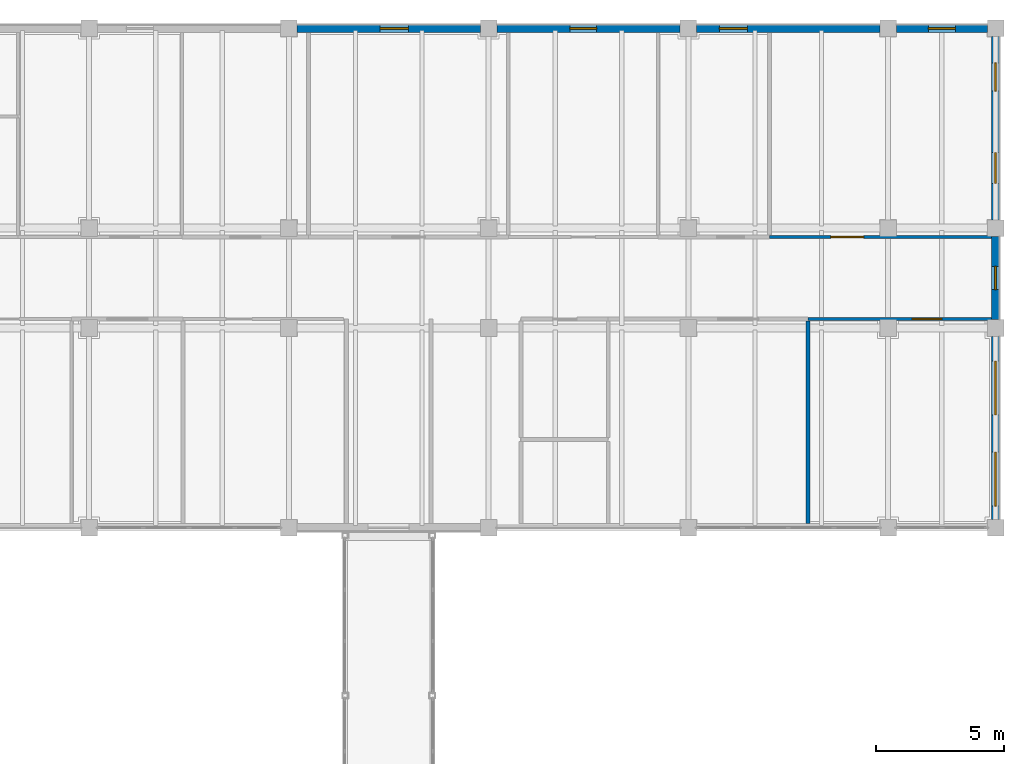
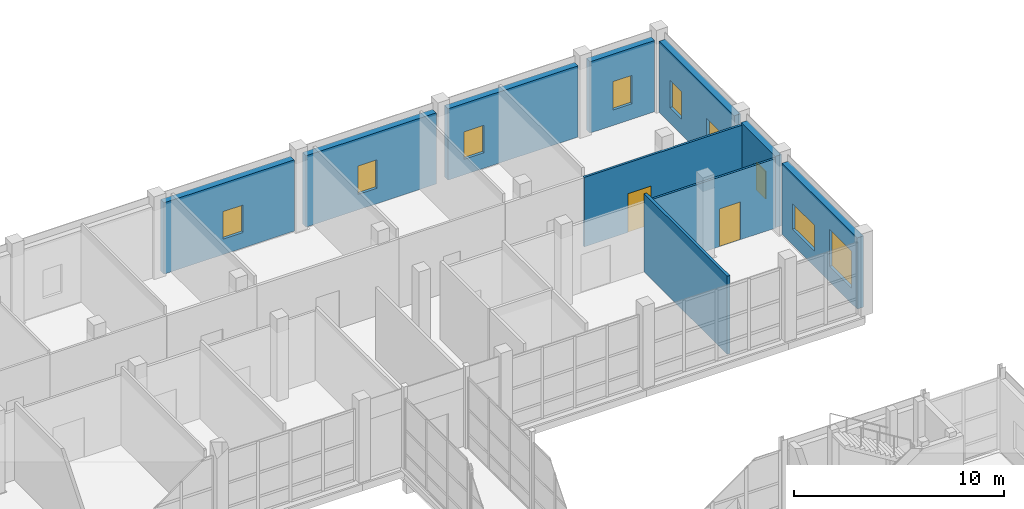
# One storey, part 105 of 131: 10 walls, 9 windows, 2 doors, 11 openings.
"""IFC4 building model written with IfcOpenShell, lengths in metres."""

from ifc_helpers import new_model, si_unit, direction, frame, frame_2d, origin, place, context, subcontext, project, spatial, rectangle, extrude, material, layer, layer_set, type_object, element, fill, save


model = new_model("IFC4")

# Units and contexts
model_context = context("Model", 3, precision=1e-05, world=origin(), true_north=direction((0.0, 1.0)))
body_context = subcontext(model_context, "Body", "Model", "MODEL_VIEW")
ifc_project = project(units=[si_unit("LENGTHUNIT", "METRE"), si_unit("AREAUNIT", "SQUARE_METRE"), si_unit("VOLUMEUNIT", "CUBIC_METRE"), si_unit("PLANEANGLEUNIT", "RADIAN"), si_unit("MASSUNIT", "GRAM", prefix="KILO")], contexts=[model_context])

# Site, building, storey
site_placement = place(None, origin())
site = spatial("IfcSite", under=ifc_project, at=site_placement, CompositionType="ELEMENT")
building_placement = place(site_placement, origin())
building = spatial("IfcBuilding", under=site, at=building_placement, Name="Celorna Specialist Clinic", CompositionType="ELEMENT")
storey_placement = place(building_placement, origin())
storey = spatial("IfcBuildingStorey", under=building, at=storey_placement, Name="L00", CompositionType="ELEMENT", Elevation=0.0)

# Wall, opening, window
ifc_material_1 = material(Name="Pero Pinheiro Lioz limestone insulated masonry", Category="masonry")
ifc_layer_1 = layer(ifc_material_1, 0.340087890625, Name="Pero Pinheiro Lioz limestone insulated masonry")
ifc_layer_set_1 = layer_set([ifc_layer_1], Name="Pero Pinheiro Lioz limestone insulated masonry")
wall_type_1 = type_object("IfcWallType", Name="WT-07", PredefinedType="STANDARD", material=ifc_layer_set_1)
wall_1_placement = place(storey_placement, frame((140.72509765625, 116.0, 0.0), z_axis=(0.0, 0.0, 1.0), x_axis=(1.0, 0.0, 0.0)))
wall_1 = element("IfcWall", 1, at=wall_1_placement, inside=storey, type_object=wall_type_1, Name="External facade wall WT-07 #177", PredefinedType="STANDARD", context=body_context, shape_type="SweptSolid", body=[
    extrude(rectangle(XDim=7.14990234375, YDim=0.340087890625, at=frame_2d((3.574951171875, 0.0))), origin(), (0.0, 0.0, 1.0), 4.139892578125),
])
opening_1_placement = place(wall_1_placement, frame((3.237548828125, 0.0, 0.89990234375)))
opening_1 = element("IfcOpeningElement", 2, at=opening_1_placement, cuts=wall_1, Name="Opening WN-03", PredefinedType="OPENING", context=body_context, shape_type="SweptSolid", body=[
    extrude(rectangle(XDim=1.10009765625, YDim=1.60009765625, at=frame_2d((0.550048828125, 0.800048828125))), frame((0.0, 0.179931640625, 0.0), z_axis=(0.0, -1.0, 0.0), x_axis=(1.0, 0.0, 0.0)), (0.0, 0.0, 1.0), 0.360107421875),
])
ifc_material_2 = material(Name="Thermally broken aluminium triple-glazed window", Category="aluminium")
window_type_1 = type_object("IfcWindowType", Name="WN-03", PartitioningType="SINGLE_PANEL", PredefinedType="WINDOW", material=ifc_material_2)
window_1_placement = place(opening_1_placement, origin())
window_1 = element("IfcWindow", 3, at=window_1_placement, inside=storey, type_object=window_type_1, Name="Facade window WN-03 #69", OverallHeight=1.60009765625, OverallWidth=1.10009765625, PartitioningType="SINGLE_PANEL", PredefinedType="WINDOW", context=body_context, shape_type="SweptSolid", body=[
    extrude(rectangle(XDim=1.10009765625, YDim=1.60009765625, at=frame_2d((0.550048828125, 0.800048828125))), frame((0.0, 0.030029296875, 0.0), z_axis=(0.0, -1.0, 0.0), x_axis=(1.0, 0.0, 0.0)), (0.0, 0.0, 1.0), 0.06005859375),
])
fill(opening_1, window_1)

wall_2_placement = place(storey_placement, frame((148.52490234375, 116.0, 0.0), z_axis=(0.0, 0.0, 1.0), x_axis=(1.0, 0.0, 0.0)))
wall_2 = element("IfcWall", 4, at=wall_2_placement, inside=storey, type_object=wall_type_1, Name="External facade wall WT-07 #178", PredefinedType="STANDARD", context=body_context, shape_type="SweptSolid", body=[
    extrude(rectangle(XDim=7.150146484375, YDim=0.340087890625, at=frame_2d((3.5751953125, 0.0))), origin(), (0.0, 0.0, 1.0), 4.139892578125),
])
opening_2_placement = place(wall_2_placement, frame((2.844970703125, 0.0, 0.89990234375)))
opening_2 = element("IfcOpeningElement", 5, at=opening_2_placement, cuts=wall_2, Name="Opening WN-21", PredefinedType="OPENING", context=body_context, shape_type="SweptSolid", body=[
    extrude(rectangle(XDim=1.050048828125, YDim=1.64990234375, at=frame_2d((0.52490234375, 0.824951171875))), frame((0.0, 0.179931640625, 0.0), z_axis=(0.0, -1.0, 0.0), x_axis=(1.0, 0.0, 0.0)), (0.0, 0.0, 1.0), 0.360107421875),
])
window_type_2 = type_object("IfcWindowType", Name="WN-21", PartitioningType="SINGLE_PANEL", PredefinedType="WINDOW", material=ifc_material_2)
window_2_placement = place(opening_2_placement, origin())
window_2 = element("IfcWindow", 6, at=window_2_placement, inside=storey, type_object=window_type_2, Name="Facade window WN-21 #70", OverallHeight=1.64990234375, OverallWidth=1.050048828125, PartitioningType="SINGLE_PANEL", PredefinedType="WINDOW", context=body_context, shape_type="SweptSolid", body=[
    extrude(rectangle(XDim=1.050048828125, YDim=1.64990234375, at=frame_2d((0.52490234375, 0.824951171875))), frame((0.0, 0.030029296875, 0.0), z_axis=(0.0, -1.0, 0.0), x_axis=(1.0, 0.0, 0.0)), (0.0, 0.0, 1.0), 0.06005859375),
])
fill(opening_2, window_2)

wall_3_placement = place(storey_placement, frame((156.324951171875, 116.0, 0.0), z_axis=(0.0, 0.0, 1.0), x_axis=(1.0, 0.0, 0.0)))
wall_3 = element("IfcWall", 7, at=wall_3_placement, inside=storey, type_object=wall_type_1, Name="External facade wall WT-07 #179", PredefinedType="STANDARD", context=body_context, shape_type="SweptSolid", body=[
    extrude(rectangle(XDim=7.150146484375, YDim=0.340087890625, at=frame_2d((3.5751953125, 0.0))), origin(), (0.0, 0.0, 1.0), 4.139892578125),
])
opening_3_placement = place(wall_3_placement, frame((0.882568359375, 0.0, 0.89990234375)))
opening_3 = element("IfcOpeningElement", 8, at=opening_3_placement, cuts=wall_3, Name="Opening WN-03", PredefinedType="OPENING", context=body_context, shape_type="SweptSolid", body=[
    extrude(rectangle(XDim=1.10009765625, YDim=1.60009765625, at=frame_2d((0.550048828125, 0.800048828125))), frame((0.0, 0.179931640625, 0.0), z_axis=(0.0, -1.0, 0.0), x_axis=(1.0, 0.0, 0.0)), (0.0, 0.0, 1.0), 0.360107421875),
])
window_3_placement = place(opening_3_placement, origin())
window_3 = element("IfcWindow", 9, at=window_3_placement, inside=storey, type_object=window_type_1, Name="Facade window WN-03 #71", OverallHeight=1.60009765625, OverallWidth=1.10009765625, PartitioningType="SINGLE_PANEL", PredefinedType="WINDOW", context=body_context, shape_type="SweptSolid", body=[
    extrude(rectangle(XDim=1.10009765625, YDim=1.60009765625, at=frame_2d((0.550048828125, 0.800048828125))), frame((0.0, 0.030029296875, 0.0), z_axis=(0.0, -1.0, 0.0), x_axis=(1.0, 0.0, 0.0)), (0.0, 0.0, 1.0), 0.06005859375),
])
fill(opening_3, window_3)

wall_4_placement = place(storey_placement, frame((164.125, 116.0, 0.0), z_axis=(0.0, 0.0, 1.0), x_axis=(1.0, 0.0, 0.0)))
wall_4 = element("IfcWall", 10, at=wall_4_placement, inside=storey, type_object=wall_type_1, Name="External facade wall WT-07 #180", PredefinedType="STANDARD", context=body_context, shape_type="SweptSolid", body=[
    extrude(rectangle(XDim=3.550048828125, YDim=0.340087890625, at=frame_2d((1.77490234375, 0.0))), origin(), (0.0, 0.0, 1.0), 4.139892578125),
])
opening_4_placement = place(wall_4_placement, frame((1.25, 0.0, 0.89990234375)))
opening_4 = element("IfcOpeningElement", 11, at=opening_4_placement, cuts=wall_4, Name="Opening WN-21", PredefinedType="OPENING", context=body_context, shape_type="SweptSolid", body=[
    extrude(rectangle(XDim=1.050048828125, YDim=1.64990234375, at=frame_2d((0.52490234375, 0.824951171875))), frame((0.0, 0.179931640625, 0.0), z_axis=(0.0, -1.0, 0.0), x_axis=(1.0, 0.0, 0.0)), (0.0, 0.0, 1.0), 0.360107421875),
])
window_4_placement = place(opening_4_placement, origin())
window_4 = element("IfcWindow", 12, at=window_4_placement, inside=storey, type_object=window_type_2, Name="Facade window WN-21 #72", OverallHeight=1.64990234375, OverallWidth=1.050048828125, PartitioningType="SINGLE_PANEL", PredefinedType="WINDOW", context=body_context, shape_type="SweptSolid", body=[
    extrude(rectangle(XDim=1.050048828125, YDim=1.64990234375, at=frame_2d((0.52490234375, 0.824951171875))), frame((0.0, 0.030029296875, 0.0), z_axis=(0.0, -1.0, 0.0), x_axis=(1.0, 0.0, 0.0)), (0.0, 0.0, 1.0), 0.06005859375),
])
fill(opening_4, window_4)

# Wall, openings, windows
wall_5_placement = place(storey_placement, frame((168.0, 103.97509765625, 0.0), z_axis=(0.0, 0.0, 1.0), x_axis=(0.0, -1.0, 0.0)))
wall_5 = element("IfcWall", 13, at=wall_5_placement, inside=storey, type_object=wall_type_1, Name="External facade wall WT-07 #184", PredefinedType="STANDARD", context=body_context, shape_type="SweptSolid", body=[
    extrude(rectangle(XDim=7.150146484375, YDim=0.340087890625, at=frame_2d((3.5751953125, 0.0))), origin(), (0.0, 0.0, 1.0), 4.139892578125),
])
opening_5_placement = place(wall_5_placement, frame((0.972412109375, 0.0, 0.89990234375)))
opening_5 = element("IfcOpeningElement", 14, at=opening_5_placement, cuts=wall_5, Name="Opening WN-26", PredefinedType="OPENING", context=body_context, shape_type="SweptSolid", body=[
    extrude(rectangle(XDim=2.10009765625, YDim=1.5, at=frame_2d((1.050048828125, 0.75))), frame((0.0, 0.179931640625, 0.0), z_axis=(0.0, -1.0, 0.0), x_axis=(1.0, 0.0, 0.0)), (0.0, 0.0, 1.0), 0.360107421875),
])
opening_6_placement = place(wall_5_placement, frame((4.527587890625, 0.0, 0.89990234375)))
opening_6 = element("IfcOpeningElement", 15, at=opening_6_placement, cuts=wall_5, Name="Opening WN-27", PredefinedType="OPENING", context=body_context, shape_type="SweptSolid", body=[
    extrude(rectangle(XDim=2.10009765625, YDim=2.14990234375, at=frame_2d((1.050048828125, 1.074951171875))), frame((0.0, 0.179931640625, 0.0), z_axis=(0.0, -1.0, 0.0), x_axis=(1.0, 0.0, 0.0)), (0.0, 0.0, 1.0), 0.360107421875),
])
window_type_3 = type_object("IfcWindowType", Name="WN-26", PartitioningType="SINGLE_PANEL", PredefinedType="WINDOW", material=ifc_material_2)
window_5_placement = place(opening_5_placement, origin())
window_5 = element("IfcWindow", 16, at=window_5_placement, inside=storey, type_object=window_type_3, Name="Facade window WN-26 #76", OverallHeight=1.5, OverallWidth=2.10009765625, PartitioningType="SINGLE_PANEL", PredefinedType="WINDOW", context=body_context, shape_type="SweptSolid", body=[
    extrude(rectangle(XDim=2.10009765625, YDim=1.5, at=frame_2d((1.050048828125, 0.75))), frame((0.0, 0.030029296875, 0.0), z_axis=(0.0, -1.0, 0.0), x_axis=(1.0, 0.0, 0.0)), (0.0, 0.0, 1.0), 0.06005859375),
])
fill(opening_5, window_5)
window_type_4 = type_object("IfcWindowType", Name="WN-27", PartitioningType="SINGLE_PANEL", PredefinedType="WINDOW", material=ifc_material_2)
window_6_placement = place(opening_6_placement, origin())
window_6 = element("IfcWindow", 17, at=window_6_placement, inside=storey, type_object=window_type_4, Name="Facade window WN-27 #77", OverallHeight=2.14990234375, OverallWidth=2.10009765625, PartitioningType="SINGLE_PANEL", PredefinedType="WINDOW", context=body_context, shape_type="SweptSolid", body=[
    extrude(rectangle(XDim=2.10009765625, YDim=2.14990234375, at=frame_2d((1.050048828125, 1.074951171875))), frame((0.0, 0.030029296875, 0.0), z_axis=(0.0, -1.0, 0.0), x_axis=(1.0, 0.0, 0.0)), (0.0, 0.0, 1.0), 0.06005859375),
])
fill(opening_6, window_6)

# Wall, opening, window
wall_6_placement = place(storey_placement, frame((168.0, 107.875, 0.0), z_axis=(0.0, 0.0, 1.0), x_axis=(0.0, -1.0, 0.0)))
wall_6 = element("IfcWall", 18, at=wall_6_placement, inside=storey, type_object=wall_type_1, Name="External facade wall WT-07 #185", PredefinedType="STANDARD", context=body_context, shape_type="SweptSolid", body=[
    extrude(rectangle(XDim=3.25, YDim=0.340087890625, at=frame_2d((1.625, 0.0))), origin(), (0.0, 0.0, 1.0), 4.139892578125),
])
opening_7_placement = place(wall_6_placement, frame((1.175048828125, 0.0, 0.89990234375)))
opening_7 = element("IfcOpeningElement", 19, at=opening_7_placement, cuts=wall_6, Name="Opening WN-01", PredefinedType="OPENING", context=body_context, shape_type="SweptSolid", body=[
    extrude(rectangle(XDim=0.89990234375, YDim=1.60009765625, at=frame_2d((0.449951171875, 0.800048828125))), frame((0.0, 0.179931640625, 0.0), z_axis=(0.0, -1.0, 0.0), x_axis=(1.0, 0.0, 0.0)), (0.0, 0.0, 1.0), 0.360107421875),
])
window_type_5 = type_object("IfcWindowType", Name="WN-01", PartitioningType="SINGLE_PANEL", PredefinedType="WINDOW", material=ifc_material_2)
window_7_placement = place(opening_7_placement, origin())
window_7 = element("IfcWindow", 20, at=window_7_placement, inside=storey, type_object=window_type_5, Name="Facade window WN-01 #78", OverallHeight=1.60009765625, OverallWidth=0.89990234375, PartitioningType="SINGLE_PANEL", PredefinedType="WINDOW", context=body_context, shape_type="SweptSolid", body=[
    extrude(rectangle(XDim=0.89990234375, YDim=1.60009765625, at=frame_2d((0.449951171875, 0.800048828125))), frame((0.0, 0.030029296875, 0.0), z_axis=(0.0, -1.0, 0.0), x_axis=(1.0, 0.0, 0.0)), (0.0, 0.0, 1.0), 0.06005859375),
])
fill(opening_7, window_7)

# Wall, openings, windows
wall_7_placement = place(storey_placement, frame((168.0, 115.675048828125, 0.0), z_axis=(0.0, 0.0, 1.0), x_axis=(0.0, -1.0, 0.0)))
wall_7 = element("IfcWall", 21, at=wall_7_placement, inside=storey, type_object=wall_type_1, Name="External facade wall WT-07 #186", PredefinedType="STANDARD", context=body_context, shape_type="SweptSolid", body=[
    extrude(rectangle(XDim=7.150146484375, YDim=0.340087890625, at=frame_2d((3.5751953125, 0.0))), origin(), (0.0, 0.0, 1.0), 4.139892578125),
])
opening_8_placement = place(wall_7_placement, frame((1.0224609375, 0.0, 0.89990234375)))
opening_8 = element("IfcOpeningElement", 22, at=opening_8_placement, cuts=wall_7, Name="Opening WN-03", PredefinedType="OPENING", context=body_context, shape_type="SweptSolid", body=[
    extrude(rectangle(XDim=1.10009765625, YDim=1.60009765625, at=frame_2d((0.550048828125, 0.800048828125))), frame((0.0, 0.179931640625, 0.0), z_axis=(0.0, -1.0, 0.0), x_axis=(1.0, 0.0, 0.0)), (0.0, 0.0, 1.0), 0.360107421875),
])
opening_9_placement = place(wall_7_placement, frame((4.527587890625, 0.0, 0.89990234375)))
opening_9 = element("IfcOpeningElement", 23, at=opening_9_placement, cuts=wall_7, Name="Opening WN-04", PredefinedType="OPENING", context=body_context, shape_type="SweptSolid", body=[
    extrude(rectangle(XDim=1.199951171875, YDim=1.5, at=frame_2d((0.60009765625, 0.75))), frame((0.0, 0.179931640625, 0.0), z_axis=(0.0, -1.0, 0.0), x_axis=(1.0, 0.0, 0.0)), (0.0, 0.0, 1.0), 0.360107421875),
])
window_8_placement = place(opening_8_placement, origin())
window_8 = element("IfcWindow", 24, at=window_8_placement, inside=storey, type_object=window_type_1, Name="Facade window WN-03 #79", OverallHeight=1.60009765625, OverallWidth=1.10009765625, PartitioningType="SINGLE_PANEL", PredefinedType="WINDOW", context=body_context, shape_type="SweptSolid", body=[
    extrude(rectangle(XDim=1.10009765625, YDim=1.60009765625, at=frame_2d((0.550048828125, 0.800048828125))), frame((0.0, 0.030029296875, 0.0), z_axis=(0.0, -1.0, 0.0), x_axis=(1.0, 0.0, 0.0)), (0.0, 0.0, 1.0), 0.06005859375),
])
fill(opening_8, window_8)
window_type_6 = type_object("IfcWindowType", Name="WN-04", PartitioningType="SINGLE_PANEL", PredefinedType="WINDOW", material=ifc_material_2)
window_9_placement = place(opening_9_placement, origin())
window_9 = element("IfcWindow", 25, at=window_9_placement, inside=storey, type_object=window_type_6, Name="Facade window WN-04 #80", OverallHeight=1.5, OverallWidth=1.199951171875, PartitioningType="SINGLE_PANEL", PredefinedType="WINDOW", context=body_context, shape_type="SweptSolid", body=[
    extrude(rectangle(XDim=1.199951171875, YDim=1.5, at=frame_2d((0.60009765625, 0.75))), frame((0.0, 0.030029296875, 0.0), z_axis=(0.0, -1.0, 0.0), x_axis=(1.0, 0.0, 0.0)), (0.0, 0.0, 1.0), 0.06005859375),
])
fill(opening_9, window_9)

# Wall
ifc_material_3 = material(Name="Fire-rated gypsum board partition")
ifc_layer_2 = layer(ifc_material_3, 0.14990234375, Name="Fire-rated gypsum board partition")
ifc_layer_set_2 = layer_set([ifc_layer_2], Name="Fire-rated gypsum board partition")
wall_type_2 = type_object("IfcWallType", Name="WT-14", PredefinedType="PARTITIONING", material=ifc_layer_set_2)
wall_8_placement = place(storey_placement, frame((160.669921875, 96.669921875, 0.0), z_axis=(0.0, 0.0, 1.0), x_axis=(0.0, 1.0, 0.0)))
element("IfcWall", 26, at=wall_8_placement, inside=storey, type_object=wall_type_2, Name="Room dividing partition WT-14 L00-069", PredefinedType="PARTITIONING", context=body_context, shape_type="SweptSolid", body=[
    extrude(rectangle(XDim=7.905029296875, YDim=0.14990234375, at=frame_2d((3.95263671875, 0.0))), origin(), (0.0, 0.0, 1.0), 4.5400390625),
])

# Wall, opening, door
ifc_material_4 = material(Name="Acoustic gypsum board partition")
ifc_layer_3 = layer(ifc_material_4, 0.1201171875, Name="Acoustic gypsum board partition")
ifc_layer_set_3 = layer_set([ifc_layer_3], Name="Acoustic gypsum board partition")
wall_type_3 = type_object("IfcWallType", Name="WT-15", PredefinedType="PARTITIONING", material=ifc_layer_set_3)
wall_9_placement = place(storey_placement, frame((167.830078125, 104.64990234375, 0.0), z_axis=(0.0, 0.0, 1.0), x_axis=(-1.0, 0.0, 0.0)))
wall_9 = element("IfcWall", 27, at=wall_9_placement, inside=storey, type_object=wall_type_3, Name="Interior partition WT-15 L00-070", PredefinedType="PARTITIONING", context=body_context, shape_type="SweptSolid", body=[
    extrude(rectangle(XDim=7.16015625, YDim=0.1201171875, at=frame_2d((3.580078125, 0.0))), origin(), (0.0, 0.0, 1.0), 4.0400390625),
])
opening_10_placement = place(wall_9_placement, frame((1.930908203125, 0.0, 0.0)))
opening_10 = element("IfcOpeningElement", 28, at=opening_10_placement, cuts=wall_9, Name="Opening DR-07", PredefinedType="OPENING", context=body_context, shape_type="SweptSolid", body=[
    extrude(rectangle(XDim=1.14990234375, YDim=2.199951171875, at=frame_2d((0.574951171875, 1.10009765625))), frame((0.0, 0.070068359375, 0.0), z_axis=(0.0, -1.0, 0.0), x_axis=(1.0, 0.0, 0.0)), (0.0, 0.0, 1.0), 0.14013671875),
])
ifc_material_5 = material(Name="Hermetic cleanroom airlock door")
door_type_1 = type_object("IfcDoorType", Name="DR-07", OperationType="NOTDEFINED", PredefinedType="DOOR", material=ifc_material_5)
door_1_placement = place(opening_10_placement, origin())
door_1 = element("IfcDoor", 29, at=door_1_placement, inside=storey, type_object=door_type_1, Name="Clean Utility Room door L00-070", OperationType="SINGLE_SWING_RIGHT", OverallHeight=2.199951171875, OverallWidth=1.14990234375, PredefinedType="DOOR", context=body_context, shape_type="SweptSolid", body=[
    extrude(rectangle(XDim=1.14990234375, YDim=2.199951171875, at=frame_2d((0.574951171875, 1.10009765625))), frame((0.0, 0.02490234375, 0.0), z_axis=(0.0, -1.0, 0.0), x_axis=(1.0, 0.0, 0.0)), (0.0, 0.0, 1.0), 0.050048828125),
])
fill(opening_10, door_1)

wall_10_placement = place(storey_placement, frame((159.169921875, 107.85009765625, 0.0), z_axis=(0.0, 0.0, 1.0), x_axis=(1.0, 0.0, 0.0)))
wall_10 = element("IfcWall", 30, at=wall_10_placement, inside=storey, type_object=wall_type_3, Name="Interior partition WT-15 L00-087", PredefinedType="PARTITIONING", context=body_context, shape_type="SweptSolid", body=[
    extrude(rectangle(XDim=8.66015625, YDim=0.1201171875, at=frame_2d((4.330078125, 0.0))), origin(), (0.0, 0.0, 1.0), 4.0400390625),
])
opening_11_placement = place(wall_10_placement, frame((2.39111328125, 0.0, 0.0)))
opening_11 = element("IfcOpeningElement", 31, at=opening_11_placement, cuts=wall_10, Name="Opening DR-22", PredefinedType="OPENING", context=body_context, shape_type="SweptSolid", body=[
    extrude(rectangle(XDim=1.280029296875, YDim=2.25, at=frame_2d((0.64013671875, 1.125))), frame((0.0, 0.070068359375, 0.0), z_axis=(0.0, -1.0, 0.0), x_axis=(1.0, 0.0, 0.0)), (0.0, 0.0, 1.0), 0.14013671875),
])
ifc_material_6 = material(Name="Diagnostic procedure room door")
door_type_2 = type_object("IfcDoorType", Name="DR-22", OperationType="NOTDEFINED", PredefinedType="DOOR", material=ifc_material_6)
door_2_placement = place(opening_11_placement, origin())
door_2 = element("IfcDoor", 32, at=door_2_placement, inside=storey, type_object=door_type_2, Name="ECG and Vital Signs Triage Room door L00-087", OperationType="SINGLE_SWING_LEFT", OverallHeight=2.25, OverallWidth=1.280029296875, PredefinedType="DOOR", context=body_context, shape_type="SweptSolid", body=[
    extrude(rectangle(XDim=1.280029296875, YDim=2.25, at=frame_2d((0.64013671875, 1.125))), frame((0.0, 0.02490234375, 0.0), z_axis=(0.0, -1.0, 0.0), x_axis=(1.0, 0.0, 0.0)), (0.0, 0.0, 1.0), 0.050048828125),
])
fill(opening_11, door_2)

save(model, "model.ifc")
